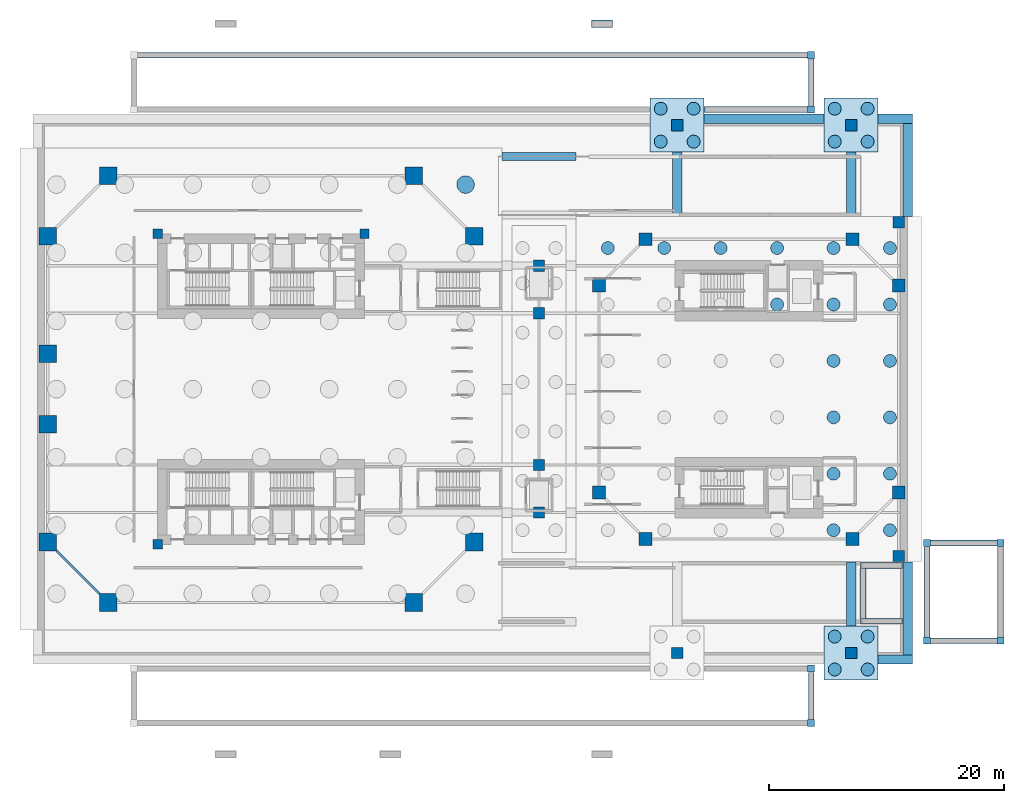
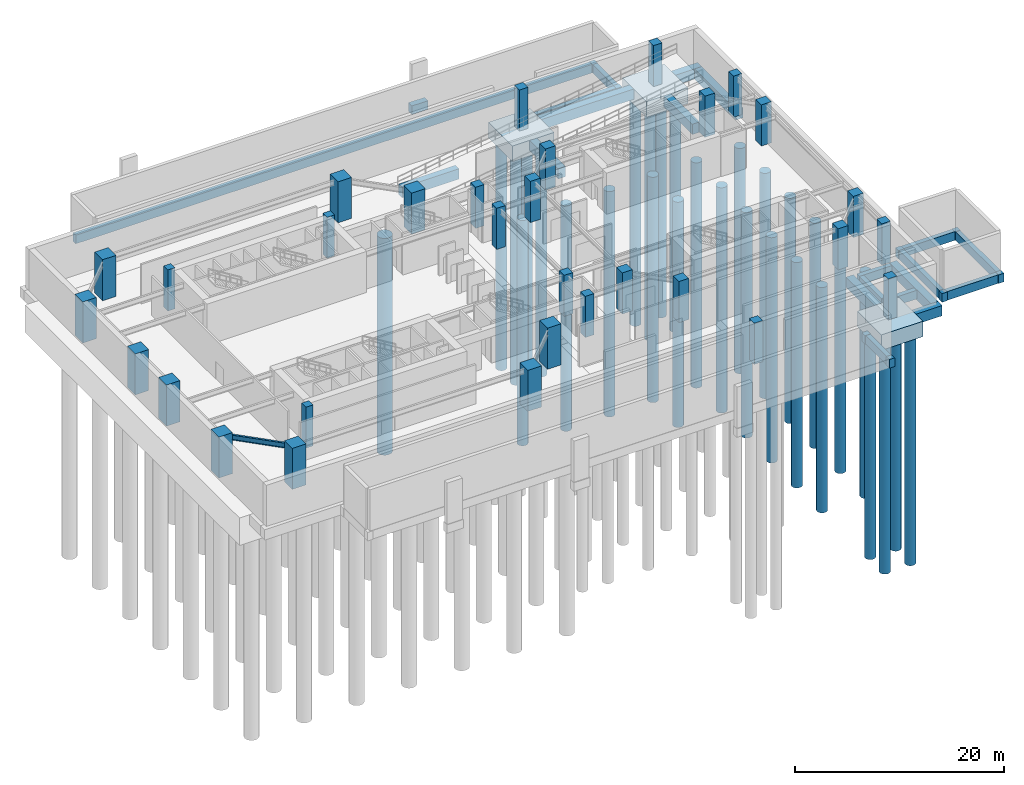
# One storey, part 2 of 13: 32 footings, 31 columns, 30 piles, 1 beam.
"""IFC4 building model written with IfcOpenShell, lengths in metres."""

from ifc_helpers import new_model, si_unit, direction, frame, origin, origin_2d, place, context, subcontext, project, spatial, polyline, rectangle, circle, i_section, outline, extrude, source, transform, mapped, material, material_profile, profile_set, type_object, element, save


model = new_model("IFC4")

# Units and contexts
model_context = context("Model", 3, precision=1e-05, world=origin(), true_north=direction((0.0, 1.0)))
body_context = subcontext(model_context, "Body", "Model", "MODEL_VIEW")
ifc_project = project(units=[si_unit("LENGTHUNIT", "METRE"), si_unit("AREAUNIT", "SQUARE_METRE"), si_unit("VOLUMEUNIT", "CUBIC_METRE"), si_unit("PLANEANGLEUNIT", "RADIAN"), si_unit("MASSUNIT", "GRAM", prefix="KILO"), si_unit("THERMODYNAMICTEMPERATUREUNIT", "KELVIN"), si_unit("POWERUNIT", "WATT")], contexts=[model_context])

# Site, building, storey
site_placement = place(None, origin())
site = spatial("IfcSite", under=ifc_project, at=site_placement, CompositionType="ELEMENT")
building_placement = place(site_placement, origin())
building = spatial("IfcBuilding", under=site, at=building_placement, Name="Qiaomeng Ring Towers", CompositionType="ELEMENT")
storey_placement = place(building_placement, frame((0.0, 0.0, -9.60009765625)))
storey = spatial("IfcBuildingStorey", under=building, at=storey_placement, Name="B2", CompositionType="ELEMENT", Elevation=-9.60009765625)

# Footings
ifc_material_1 = material(Name="Concrete C40", Category="concrete")
footing_type_1 = type_object("IfcFootingType", Name="FND-CAP-PC1", PredefinedType="PILE_CAP", material=ifc_material_1)
footing_1_placement = place(storey_placement, frame((0.0, 0.0, -1.7998046875)))
element("IfcFooting", 1, at=footing_1_placement, inside=storey, type_object=footing_type_1, Name="Podium Pile Cap PC1-02", PredefinedType="PILE_CAP", context=body_context, shape_type="SweptSolid", body=[
    extrude(outline(polyline([(66.89990234375, -1.75), (71.5, -1.75), (71.5, 2.85009765625), (66.89990234375, 2.85009765625), (66.89990234375, -1.75)])), origin(), (0.0, 0.0, 1.0), 1.7998046875),
])
footing_2_placement = place(storey_placement, frame((0.0, 0.0, -1.7998046875)))
element("IfcFooting", 2, at=footing_2_placement, inside=storey, type_object=footing_type_1, Name="Podium Pile Cap PC1-03", PredefinedType="PILE_CAP", context=body_context, shape_type="SweptSolid", body=[
    extrude(outline(polyline([(52.10009765625, 43.14990234375), (56.699951171875, 43.14990234375), (56.699951171875, 47.75), (52.10009765625, 47.75), (52.10009765625, 43.14990234375)])), origin(), (0.0, 0.0, 1.0), 1.7998046875),
])
footing_3_placement = place(storey_placement, frame((0.0, 0.0, -1.7998046875)))
element("IfcFooting", 3, at=footing_3_placement, inside=storey, type_object=footing_type_1, Name="Podium Pile Cap PC1-04", PredefinedType="PILE_CAP", context=body_context, shape_type="SweptSolid", body=[
    extrude(outline(polyline([(66.89990234375, 43.14990234375), (71.5, 43.14990234375), (71.5, 47.75), (66.89990234375, 47.75), (66.89990234375, 43.14990234375)])), origin(), (0.0, 0.0, 1.0), 1.7998046875),
])
footing_type_2 = type_object("IfcFootingType", Name="FND-GB-FB1", PredefinedType="FOOTING_BEAM", material=ifc_material_1)
footing_4_placement = place(storey_placement, frame((0.0, 0.0, -1.199951171875)))
element("IfcFooting", 4, at=footing_4_placement, inside=storey, type_object=footing_type_2, Name="Foundation Tie Beam FB1-11", PredefinedType="FOOTING_BEAM", context=body_context, shape_type="SweptSolid", body=[
    extrude(outline(polyline([(71.5, -0.39990234375), (74.39990234375, -0.39990234375), (74.39990234375, 0.39990234375), (71.5, 0.39990234375), (71.5, -0.39990234375)])), origin(), (0.0, 0.0, 1.0), 1.199951171875),
])
footing_5_placement = place(storey_placement, frame((0.0, 0.0, -1.199951171875)))
element("IfcFooting", 5, at=footing_5_placement, inside=storey, type_object=footing_type_2, Name="Foundation Tie Beam FB1-13", PredefinedType="FOOTING_BEAM", context=body_context, shape_type="SweptSolid", body=[
    extrude(outline(polyline([(56.699951171875, 45.60009765625), (66.89990234375, 45.60009765625), (66.89990234375, 46.39990234375), (56.699951171875, 46.39990234375), (56.699951171875, 45.60009765625)])), origin(), (0.0, 0.0, 1.0), 1.199951171875),
])
footing_6_placement = place(storey_placement, frame((0.0, 0.0, -1.199951171875)))
element("IfcFooting", 6, at=footing_6_placement, inside=storey, type_object=footing_type_2, Name="Foundation Tie Beam FB1-14", PredefinedType="FOOTING_BEAM", context=body_context, shape_type="SweptSolid", body=[
    extrude(outline(polyline([(71.5, 45.60009765625), (74.39990234375, 45.60009765625), (74.39990234375, 46.39990234375), (71.5, 46.39990234375), (71.5, 45.60009765625)])), origin(), (0.0, 0.0, 1.0), 1.199951171875),
])
footing_7_placement = place(storey_placement, frame((0.0, 0.0, -1.199951171875)))
element("IfcFooting", 7, at=footing_7_placement, inside=storey, type_object=footing_type_2, Name="Foundation Tie Beam FB1-16", PredefinedType="FOOTING_BEAM", context=body_context, shape_type="SweptSolid", body=[
    extrude(outline(polyline([(68.800048828125, 2.85009765625), (69.60009765625, 2.85009765625), (69.60009765625, 8.300048828125), (68.800048828125, 8.300048828125), (68.800048828125, 2.85009765625)])), origin(), (0.0, 0.0, 1.0), 1.199951171875),
])
footing_8_placement = place(storey_placement, frame((0.0, 0.0, -1.199951171875)))
element("IfcFooting", 8, at=footing_8_placement, inside=storey, type_object=footing_type_2, Name="Foundation Tie Beam FB1-17", PredefinedType="FOOTING_BEAM", context=body_context, shape_type="SweptSolid", body=[
    extrude(outline(polyline([(54.0, 37.699951171875), (54.800048828125, 37.699951171875), (54.800048828125, 43.14990234375), (54.0, 43.14990234375), (54.0, 37.699951171875)])), origin(), (0.0, 0.0, 1.0), 1.199951171875),
])
footing_9_placement = place(storey_placement, frame((0.0, 0.0, -1.199951171875)))
element("IfcFooting", 9, at=footing_9_placement, inside=storey, type_object=footing_type_2, Name="Foundation Tie Beam FB1-18", PredefinedType="FOOTING_BEAM", context=body_context, shape_type="SweptSolid", body=[
    extrude(outline(polyline([(68.800048828125, 37.699951171875), (69.60009765625, 37.699951171875), (69.60009765625, 43.14990234375), (68.800048828125, 43.14990234375), (68.800048828125, 37.699951171875)])), origin(), (0.0, 0.0, 1.0), 1.199951171875),
])
footing_10_placement = place(storey_placement, frame((0.0, 0.0, -1.199951171875)))
element("IfcFooting", 10, at=footing_10_placement, inside=storey, type_object=footing_type_2, Name="Foundation Tie Beam FB1-21", PredefinedType="FOOTING_BEAM", context=body_context, shape_type="SweptSolid", body=[
    extrude(outline(polyline([(73.60009765625, 0.39990234375), (74.39990234375, 0.39990234375), (74.39990234375, 8.300048828125), (73.60009765625, 8.300048828125), (73.60009765625, 0.39990234375)])), origin(), (0.0, 0.0, 1.0), 1.199951171875),
])
footing_11_placement = place(storey_placement, frame((0.0, 0.0, -1.199951171875)))
element("IfcFooting", 11, at=footing_11_placement, inside=storey, type_object=footing_type_2, Name="Foundation Tie Beam FB1-22", PredefinedType="FOOTING_BEAM", context=body_context, shape_type="SweptSolid", body=[
    extrude(outline(polyline([(73.60009765625, 37.699951171875), (74.39990234375, 37.699951171875), (74.39990234375, 45.60009765625), (73.60009765625, 45.60009765625), (73.60009765625, 37.699951171875)])), origin(), (0.0, 0.0, 1.0), 1.199951171875),
])
footing_type_3 = type_object("IfcFootingType", Name="FND-GB-FB2", PredefinedType="FOOTING_BEAM", material=ifc_material_1)
footing_12_placement = place(storey_placement, frame((0.0, 0.0, -1.0)))
element("IfcFooting", 12, at=footing_12_placement, inside=storey, type_object=footing_type_3, Name="Apron Strip Footing PLZ-S-E", PredefinedType="FOOTING_BEAM", context=body_context, shape_type="SweptSolid", body=[
    extrude(outline(polyline([(65.550048828125, -5.090087890625), (66.050048828125, -5.090087890625), (66.050048828125, -1.090087890625), (65.550048828125, -1.090087890625), (65.550048828125, -5.090087890625)])), origin(), (0.0, 0.0, 1.0), 1.0),
])
footing_13_placement = place(storey_placement, frame((0.0, 0.0, -1.0)))
element("IfcFooting", 13, at=footing_13_placement, inside=storey, type_object=footing_type_3, Name="Apron Strip Footing PLZ-N-S2", PredefinedType="FOOTING_BEAM", context=body_context, shape_type="SweptSolid", body=[
    extrude(outline(polyline([(56.701904296875, 46.530029296875), (65.489990234375, 46.530029296875), (65.489990234375, 47.030029296875), (56.701904296875, 47.030029296875), (56.701904296875, 46.530029296875)])), origin(), (0.0, 0.0, 1.0), 1.0),
])
footing_14_placement = place(storey_placement, frame((0.0, 0.0, -1.0)))
element("IfcFooting", 14, at=footing_14_placement, inside=storey, type_object=footing_type_3, Name="Apron Strip Footing PLZ-N-N", PredefinedType="FOOTING_BEAM", context=body_context, shape_type="SweptSolid", body=[
    extrude(outline(polyline([(8.510009765625, 51.14990234375), (65.489990234375, 51.14990234375), (65.489990234375, 51.64990234375), (8.510009765625, 51.64990234375), (8.510009765625, 51.14990234375)])), origin(), (0.0, 0.0, 1.0), 1.0),
])
footing_15_placement = place(storey_placement, frame((0.0, 0.0, -1.0)))
element("IfcFooting", 15, at=footing_15_placement, inside=storey, type_object=footing_type_3, Name="Apron Strip Footing PLZ-N-E", PredefinedType="FOOTING_BEAM", context=body_context, shape_type="SweptSolid", body=[
    extrude(outline(polyline([(65.550048828125, 47.090087890625), (66.050048828125, 47.090087890625), (66.050048828125, 51.090087890625), (65.550048828125, 51.090087890625), (65.550048828125, 47.090087890625)])), origin(), (0.0, 0.0, 1.0), 1.0),
])
footing_16_placement = place(storey_placement, frame((0.0, 0.0, -1.0)))
element("IfcFooting", 16, at=footing_16_placement, inside=storey, type_object=footing_type_3, Name="Apron Strip Footing DRV-E-S", PredefinedType="FOOTING_BEAM", context=body_context, shape_type="SweptSolid", body=[
    extrude(outline(polyline([(75.9599609375, 1.35009765625), (81.590087890625, 1.35009765625), (81.590087890625, 1.85009765625), (75.9599609375, 1.85009765625), (75.9599609375, 1.35009765625)])), origin(), (0.0, 0.0, 1.0), 1.0),
])
footing_17_placement = place(storey_placement, frame((0.0, 0.0, -1.0)))
element("IfcFooting", 17, at=footing_17_placement, inside=storey, type_object=footing_type_3, Name="Apron Strip Footing DRV-E-N", PredefinedType="FOOTING_BEAM", context=body_context, shape_type="SweptSolid", body=[
    extrude(outline(polyline([(75.9599609375, 9.64990234375), (81.590087890625, 9.64990234375), (81.590087890625, 10.14990234375), (75.9599609375, 10.14990234375), (75.9599609375, 9.64990234375)])), origin(), (0.0, 0.0, 1.0), 1.0),
])
footing_18_placement = place(storey_placement, frame((0.0, 0.0, -1.0)))
element("IfcFooting", 18, at=footing_18_placement, inside=storey, type_object=footing_type_3, Name="Apron Strip Footing DRV-E-W", PredefinedType="FOOTING_BEAM", context=body_context, shape_type="SweptSolid", body=[
    extrude(outline(polyline([(75.39990234375, 1.909912109375), (75.89990234375, 1.909912109375), (75.89990234375, 9.590087890625), (75.39990234375, 9.590087890625), (75.39990234375, 1.909912109375)])), origin(), (0.0, 0.0, 1.0), 1.0),
])
footing_19_placement = place(storey_placement, frame((0.0, 0.0, -1.0)))
element("IfcFooting", 19, at=footing_19_placement, inside=storey, type_object=footing_type_3, Name="Apron Strip Footing DRV-E-E", PredefinedType="FOOTING_BEAM", context=body_context, shape_type="SweptSolid", body=[
    extrude(outline(polyline([(81.64990234375, 1.909912109375), (82.14990234375, 1.909912109375), (82.14990234375, 9.590087890625), (81.64990234375, 9.590087890625), (81.64990234375, 1.909912109375)])), origin(), (0.0, 0.0, 1.0), 1.0),
])
footing_20_placement = place(storey_placement, frame((0.0, 0.0, -1.0)))
element("IfcFooting", 20, at=footing_20_placement, inside=storey, type_object=footing_type_3, Name="Ramp R1 Landing Footing S", PredefinedType="FOOTING_BEAM", context=body_context, shape_type="SweptSolid", body=[
    extrude(outline(polyline([(70.0, 3.0), (73.550048828125, 3.0), (73.550048828125, 3.5), (70.0, 3.5), (70.0, 3.0)])), origin(), (0.0, 0.0, 1.0), 1.0),
])
footing_21_placement = place(storey_placement, frame((0.0, 0.0, -1.0)))
element("IfcFooting", 21, at=footing_21_placement, inside=storey, type_object=footing_type_3, Name="Ramp R1 Landing Footing N", PredefinedType="FOOTING_BEAM", context=body_context, shape_type="SweptSolid", body=[
    extrude(outline(polyline([(70.0, 7.75), (73.550048828125, 7.75), (73.550048828125, 8.25), (70.0, 8.25), (70.0, 7.75)])), origin(), (0.0, 0.0, 1.0), 1.0),
])
footing_22_placement = place(storey_placement, frame((0.0, 0.0, -1.0)))
element("IfcFooting", 22, at=footing_22_placement, inside=storey, type_object=footing_type_3, Name="Ramp R1 Landing Footing W", PredefinedType="FOOTING_BEAM", context=body_context, shape_type="SweptSolid", body=[
    extrude(outline(polyline([(69.949951171875, 3.510009765625), (70.449951171875, 3.510009765625), (70.449951171875, 7.739990234375), (69.949951171875, 7.739990234375), (69.949951171875, 3.510009765625)])), origin(), (0.0, 0.0, 1.0), 1.0),
])
footing_23_placement = place(storey_placement, frame((0.0, 0.0, -1.199951171875)))
element("IfcFooting", 23, at=footing_23_placement, inside=storey, type_object=footing_type_3, Name="Vehicle Ramp R2 Support Strip Footing N", PredefinedType="FOOTING_BEAM", context=body_context, shape_type="SweptSolid", body=[
    extrude(outline(polyline([(39.52001953125, 42.429931640625), (45.780029296875, 42.429931640625), (45.780029296875, 43.1298828125), (39.52001953125, 43.1298828125), (39.52001953125, 42.429931640625)])), origin(), (0.0, 0.0, 1.0), 1.199951171875),
])
footing_type_4 = type_object("IfcFootingType", Name="FND-PAD-APRON", PredefinedType="PAD_FOOTING", material=ifc_material_1)
footing_24_placement = place(storey_placement, frame((0.0, 0.0, -1.0)))
element("IfcFooting", 24, at=footing_24_placement, inside=storey, type_object=footing_type_4, Name="Apron Corner Pad Footing PLZ-S-SE", PredefinedType="PAD_FOOTING", context=body_context, shape_type="SweptSolid", body=[
    extrude(outline(polyline([(65.5, -5.699951171875), (66.10009765625, -5.699951171875), (66.10009765625, -5.10009765625), (65.5, -5.10009765625), (65.5, -5.699951171875)])), origin(), (0.0, 0.0, 1.0), 1.0),
])
footing_25_placement = place(storey_placement, frame((0.0, 0.0, -1.0)))
element("IfcFooting", 25, at=footing_25_placement, inside=storey, type_object=footing_type_4, Name="Apron Corner Pad Footing PLZ-S-NE", PredefinedType="PAD_FOOTING", context=body_context, shape_type="SweptSolid", body=[
    extrude(outline(polyline([(65.5, -1.080078125), (66.10009765625, -1.080078125), (66.10009765625, -0.47998046875), (65.5, -0.47998046875), (65.5, -1.080078125)])), origin(), (0.0, 0.0, 1.0), 1.0),
])
footing_26_placement = place(storey_placement, frame((0.0, 0.0, -1.0)))
element("IfcFooting", 26, at=footing_26_placement, inside=storey, type_object=footing_type_4, Name="Apron Corner Pad Footing PLZ-N-SE", PredefinedType="PAD_FOOTING", context=body_context, shape_type="SweptSolid", body=[
    extrude(outline(polyline([(65.5, 46.47998046875), (66.10009765625, 46.47998046875), (66.10009765625, 47.080078125), (65.5, 47.080078125), (65.5, 46.47998046875)])), origin(), (0.0, 0.0, 1.0), 1.0),
])
footing_27_placement = place(storey_placement, frame((0.0, 0.0, -1.0)))
element("IfcFooting", 27, at=footing_27_placement, inside=storey, type_object=footing_type_4, Name="Apron Corner Pad Footing PLZ-N-NE", PredefinedType="PAD_FOOTING", context=body_context, shape_type="SweptSolid", body=[
    extrude(outline(polyline([(65.5, 51.10009765625), (66.10009765625, 51.10009765625), (66.10009765625, 51.699951171875), (65.5, 51.699951171875), (65.5, 51.10009765625)])), origin(), (0.0, 0.0, 1.0), 1.0),
])
footing_28_placement = place(storey_placement, frame((0.0, 0.0, -1.0)))
element("IfcFooting", 28, at=footing_28_placement, inside=storey, type_object=footing_type_4, Name="Apron Corner Pad Footing DRV-E-SW", PredefinedType="PAD_FOOTING", context=body_context, shape_type="SweptSolid", body=[
    extrude(outline(polyline([(75.35009765625, 1.300048828125), (75.949951171875, 1.300048828125), (75.949951171875, 1.89990234375), (75.35009765625, 1.89990234375), (75.35009765625, 1.300048828125)])), origin(), (0.0, 0.0, 1.0), 1.0),
])
footing_29_placement = place(storey_placement, frame((0.0, 0.0, -1.0)))
element("IfcFooting", 29, at=footing_29_placement, inside=storey, type_object=footing_type_4, Name="Apron Corner Pad Footing DRV-E-SE", PredefinedType="PAD_FOOTING", context=body_context, shape_type="SweptSolid", body=[
    extrude(outline(polyline([(81.60009765625, 1.300048828125), (82.199951171875, 1.300048828125), (82.199951171875, 1.89990234375), (81.60009765625, 1.89990234375), (81.60009765625, 1.300048828125)])), origin(), (0.0, 0.0, 1.0), 1.0),
])
footing_30_placement = place(storey_placement, frame((0.0, 0.0, -1.0)))
element("IfcFooting", 30, at=footing_30_placement, inside=storey, type_object=footing_type_4, Name="Apron Corner Pad Footing DRV-E-NW", PredefinedType="PAD_FOOTING", context=body_context, shape_type="SweptSolid", body=[
    extrude(outline(polyline([(75.35009765625, 9.60009765625), (75.949951171875, 9.60009765625), (75.949951171875, 10.199951171875), (75.35009765625, 10.199951171875), (75.35009765625, 9.60009765625)])), origin(), (0.0, 0.0, 1.0), 1.0),
])
footing_31_placement = place(storey_placement, frame((0.0, 0.0, -1.0)))
element("IfcFooting", 31, at=footing_31_placement, inside=storey, type_object=footing_type_4, Name="Apron Corner Pad Footing DRV-E-NE", PredefinedType="PAD_FOOTING", context=body_context, shape_type="SweptSolid", body=[
    extrude(outline(polyline([(81.60009765625, 9.60009765625), (82.199951171875, 9.60009765625), (82.199951171875, 10.199951171875), (81.60009765625, 10.199951171875), (81.60009765625, 9.60009765625)])), origin(), (0.0, 0.0, 1.0), 1.0),
])
footing_type_5 = type_object("IfcFootingType", Name="FND-PAD-AR", PredefinedType="PAD_FOOTING", material=ifc_material_1)
footing_32_placement = place(storey_placement, frame((0.0, 0.0, -1.0)))
element("IfcFooting", 32, at=footing_32_placement, inside=storey, type_object=footing_type_5, Name="AR4 Kerb Pad Footing", PredefinedType="PAD_FOOTING", context=body_context, shape_type="SweptSolid", body=[
    extrude(outline(polyline([(47.10009765625, 53.748046875), (48.89990234375, 53.748046875), (48.89990234375, 54.39794921875), (47.10009765625, 54.39794921875), (47.10009765625, 53.748046875)])), origin(), (0.0, 0.0, 1.0), 1.0),
])

# Piles
ifc_material_profile_1 = material_profile(ifc_material_1, circle(Radius=0.75, at=origin_2d()), Name="BORED PILE 1500")
ifc_profile_set_1 = profile_set([ifc_material_profile_1], Name="Concrete C40")
pile_type_1 = type_object("IfcPileType", Name="FND-PILE-1500", PredefinedType="BORED", material=ifc_profile_set_1)
shared_shape_1 = source(origin(), body_context, "Body", "SweptSolid", [
    extrude(circle(Radius=0.75, at=origin_2d()), origin(), (0.0, 0.0, 1.0), 25.300048828125),
])
pile_placement = place(storey_placement, frame((36.39990234375, 40.39990234375, -3.099853515625), z_axis=(0.0, 0.0, -1.0), x_axis=(1.0, 0.0, 0.0)))
element("IfcPile", 33, at=pile_placement, inside=storey, type_object=pile_type_1, Name="Tower 1 Rock-Socketed Bored Pile PL1-049", PredefinedType="BORED", context=body_context, shape_type="MappedRepresentation", body=[
    mapped(shared_shape_1, transform((0.0, 0.0, 0.0), x_axis=(1.0, 0.0, 0.0), y_axis=(0.0, 1.0, 0.0), z_axis=(0.0, 0.0, 1.0), scale=1.0)),
])
ifc_material_profile_2 = material_profile(ifc_material_1, circle(Radius=0.550048828125, at=origin_2d()), Name="BORED PILE 1100")
ifc_profile_set_2 = profile_set([ifc_material_profile_2], Name="Concrete C40")
pile_type_2 = type_object("IfcPileType", Name="FND-PILE-1100", PredefinedType="BORED", material=ifc_profile_set_2)
shared_shape_2 = source(origin(), body_context, "Body", "SweptSolid", [
    extrude(circle(Radius=0.550048828125, at=origin_2d()), origin(), (0.0, 0.0, 1.0), 26.300048828125),
])
for number, where, z_axis, x_axis, name in (
    (34, (48.5, 35.0, -2.099853515625), (0.0, 0.0, -1.0), (1.0, 0.0, 0.0), "Companion Rock-Socketed Bored Pile PL2-006"),
    (35, (53.300048828125, 35.0, -2.099853515625), (0.0, 0.0, -1.0), (1.0, 0.0, 0.0), "Companion Rock-Socketed Bored Pile PL2-012"),
    (36, (58.10009765625, 35.0, -2.099853515625), (0.0, 0.0, -1.0), (1.0, 0.0, 0.0), "Companion Rock-Socketed Bored Pile PL2-018"),
    (37, (62.89990234375, 30.199951171875, -2.099853515625), (0.0, 0.0, -1.0), (1.0, 0.0, 0.0), "Companion Rock-Socketed Bored Pile PL2-023"),
    (38, (62.89990234375, 35.0, -2.099853515625), (0.0, 0.0, -1.0), (1.0, 0.0, 0.0), "Companion Rock-Socketed Bored Pile PL2-024"),
    (39, (67.699951171875, 11.0, -2.099853515625), (0.0, 0.0, -1.0), (1.0, 0.0, 0.0), "Companion Rock-Socketed Bored Pile PL2-025"),
    (40, (67.699951171875, 15.800048828125, -2.099853515625), (0.0, 0.0, -1.0), (1.0, 0.0, 0.0), "Companion Rock-Socketed Bored Pile PL2-026"),
    (41, (67.699951171875, 20.60009765625, -2.099853515625), (0.0, 0.0, -1.0), (1.0, 0.0, 0.0), "Companion Rock-Socketed Bored Pile PL2-027"),
    (42, (67.699951171875, 25.39990234375, -2.099853515625), (0.0, 0.0, -1.0), (1.0, 0.0, 0.0), "Companion Rock-Socketed Bored Pile PL2-028"),
    (43, (67.699951171875, 30.199951171875, -2.099853515625), (0.0, 0.0, -1.0), (1.0, 0.0, 0.0), "Companion Rock-Socketed Bored Pile PL2-029"),
    (44, (67.699951171875, 35.0, -2.099853515625), (0.0, 0.0, -1.0), (1.0, 0.0, 0.0), "Companion Rock-Socketed Bored Pile PL2-030"),
    (45, (72.5, 11.0, -2.099853515625), (0.0, 0.0, -1.0), (1.0, 0.0, 0.0), "Companion Rock-Socketed Bored Pile PL2-031"),
    (46, (72.5, 15.800048828125, -2.099853515625), (0.0, 0.0, -1.0), (1.0, 0.0, 0.0), "Companion Rock-Socketed Bored Pile PL2-032"),
    (47, (72.5, 20.60009765625, -2.099853515625), (0.0, 0.0, -1.0), (1.0, 0.0, 0.0), "Companion Rock-Socketed Bored Pile PL2-033"),
    (48, (72.5, 25.39990234375, -2.099853515625), (0.0, 0.0, -1.0), (1.0, 0.0, 0.0), "Companion Rock-Socketed Bored Pile PL2-034"),
    (49, (72.5, 30.199951171875, -2.099853515625), (0.0, 0.0, -1.0), (1.0, 0.0, 0.0), "Companion Rock-Socketed Bored Pile PL2-035"),
    (50, (72.5, 35.0, -2.099853515625), (0.0, 0.0, -1.0), (1.0, 0.0, 0.0), "Companion Rock-Socketed Bored Pile PL2-036"),
):
    element("IfcPile", number, at=place(storey_placement, frame(where, z_axis=z_axis, x_axis=x_axis)), inside=storey, type_object=pile_type_2, Name=name, PredefinedType="BORED", context=body_context, shape_type="MappedRepresentation", body=[
        mapped(shared_shape_2, transform((0.0, 0.0, 0.0), x_axis=(1.0, 0.0, 0.0), y_axis=(0.0, 1.0, 0.0), z_axis=(0.0, 0.0, 1.0), scale=1.0)),
    ])
shared_shape_3 = source(origin(), body_context, "Body", "SweptSolid", [
    extrude(circle(Radius=0.550048828125, at=origin_2d()), origin(), (0.0, 0.0, 1.0), 26.699951171875),
])
for number, where, z_axis, x_axis, name in (
    (51, (67.800048828125, -0.85009765625, -1.699951171875), (0.0, 0.0, -1.0), (1.0, 0.0, 0.0), "Podium Rock-Socketed Bored Pile PL2-P005"),
    (52, (67.800048828125, 1.949951171875, -1.699951171875), (0.0, 0.0, -1.0), (1.0, 0.0, 0.0), "Podium Rock-Socketed Bored Pile PL2-P006"),
    (53, (70.60009765625, -0.85009765625, -1.699951171875), (0.0, 0.0, -1.0), (1.0, 0.0, 0.0), "Podium Rock-Socketed Bored Pile PL2-P007"),
    (54, (70.60009765625, 1.949951171875, -1.699951171875), (0.0, 0.0, -1.0), (1.0, 0.0, 0.0), "Podium Rock-Socketed Bored Pile PL2-P008"),
    (55, (53.0, 44.050048828125, -1.699951171875), (0.0, 0.0, -1.0), (1.0, 0.0, 0.0), "Podium Rock-Socketed Bored Pile PL2-P009"),
    (56, (53.0, 46.85009765625, -1.699951171875), (0.0, 0.0, -1.0), (1.0, 0.0, 0.0), "Podium Rock-Socketed Bored Pile PL2-P010"),
    (57, (55.800048828125, 44.050048828125, -1.699951171875), (0.0, 0.0, -1.0), (1.0, 0.0, 0.0), "Podium Rock-Socketed Bored Pile PL2-P011"),
    (58, (55.800048828125, 46.85009765625, -1.699951171875), (0.0, 0.0, -1.0), (1.0, 0.0, 0.0), "Podium Rock-Socketed Bored Pile PL2-P012"),
    (59, (67.800048828125, 44.050048828125, -1.699951171875), (0.0, 0.0, -1.0), (1.0, 0.0, 0.0), "Podium Rock-Socketed Bored Pile PL2-P013"),
    (60, (67.800048828125, 46.85009765625, -1.699951171875), (0.0, 0.0, -1.0), (1.0, 0.0, 0.0), "Podium Rock-Socketed Bored Pile PL2-P014"),
    (61, (70.60009765625, 44.050048828125, -1.699951171875), (0.0, 0.0, -1.0), (1.0, 0.0, 0.0), "Podium Rock-Socketed Bored Pile PL2-P015"),
    (62, (70.60009765625, 46.85009765625, -1.699951171875), (0.0, 0.0, -1.0), (1.0, 0.0, 0.0), "Podium Rock-Socketed Bored Pile PL2-P016"),
):
    element("IfcPile", number, at=place(storey_placement, frame(where, z_axis=z_axis, x_axis=x_axis)), inside=storey, type_object=pile_type_2, Name=name, PredefinedType="BORED", context=body_context, shape_type="MappedRepresentation", body=[
        mapped(shared_shape_3, transform((0.0, 0.0, 0.0), x_axis=(1.0, 0.0, 0.0), y_axis=(0.0, 1.0, 0.0), z_axis=(0.0, 0.0, 1.0), scale=1.0)),
    ])

# Columns
ifc_material_2 = material(Name="Concrete C60", Category="concrete")
ifc_material_profile_3 = material_profile(ifc_material_2, rectangle(XDim=1.5, YDim=1.5, at=origin_2d()), Name="RC COL 1500x1500")
ifc_profile_set_3 = profile_set([ifc_material_profile_3], Name="Concrete C60")
column_type_1 = type_object("IfcColumnType", Name="STR-COL-1500", PredefinedType="COLUMN", material=ifc_profile_set_3)
shared_shape_4 = source(origin(), body_context, "Body", "SweptSolid", [
    extrude(rectangle(XDim=1.5, YDim=1.5, at=origin_2d()), origin(), (0.0, 0.0, 1.0), 4.800048828125),
])
for number, where, z_axis, x_axis, name in (
    (63, (6.0, 4.85009765625, 0.0), (0.0, 0.0, 1.0), (1.0, 0.0, 0.0), "B2 column STR-COL-B2-T1-S1"),
    (64, (32.0, 4.85009765625, 0.0), (0.0, 0.0, 1.0), (1.0, 0.0, 0.0), "B2 column STR-COL-B2-T1-S2"),
    (65, (37.14990234375, 10.0, 0.0), (0.0, 0.0, 1.0), (1.0, 0.0, 0.0), "B2 column STR-COL-B2-T1-E1"),
    (66, (37.14990234375, 36.0, 0.0), (0.0, 0.0, 1.0), (1.0, 0.0, 0.0), "B2 column STR-COL-B2-T1-E4"),
    (67, (32.0, 41.14990234375, 0.0), (0.0, 0.0, 1.0), (1.0, 0.0, 0.0), "B2 column STR-COL-B2-T1-N2"),
    (68, (6.0, 41.14990234375, 0.0), (0.0, 0.0, 1.0), (1.0, 0.0, 0.0), "B2 column STR-COL-B2-T1-N1"),
    (69, (0.85009765625, 36.0, 0.0), (0.0, 0.0, 1.0), (1.0, 0.0, 0.0), "B2 column STR-COL-B2-T1-W4"),
    (70, (0.85009765625, 26.0, 0.0), (0.0, 0.0, 1.0), (1.0, 0.0, 0.0), "B2 column STR-COL-B2-T1-W3"),
    (71, (0.85009765625, 20.0, 0.0), (0.0, 0.0, 1.0), (1.0, 0.0, 0.0), "B2 column STR-COL-B2-T1-W2"),
    (72, (0.85009765625, 10.0, 0.0), (0.0, 0.0, 1.0), (1.0, 0.0, 0.0), "B2 column STR-COL-B2-T1-W1"),
):
    element("IfcColumn", number, at=place(storey_placement, frame(where, z_axis=z_axis, x_axis=x_axis)), inside=storey, type_object=column_type_1, Name=name, PredefinedType="COLUMN", context=body_context, shape_type="MappedRepresentation", body=[
        mapped(shared_shape_4, transform((0.0, 0.0, 0.0), x_axis=(1.0, 0.0, 0.0), y_axis=(0.0, 1.0, 0.0), z_axis=(0.0, 0.0, 1.0), scale=1.0)),
    ])
ifc_material_profile_4 = material_profile(ifc_material_2, rectangle(XDim=1.10009765625, YDim=1.10009765625, at=origin_2d()), Name="RC COL 1100x1100")
ifc_profile_set_4 = profile_set([ifc_material_profile_4], Name="Concrete C60")
column_type_2 = type_object("IfcColumnType", Name="STR-COL-1100-C60", PredefinedType="COLUMN", material=ifc_profile_set_4)
shared_shape_5 = source(origin(), body_context, "Body", "SweptSolid", [
    extrude(rectangle(XDim=1.10009765625, YDim=1.10009765625, at=origin_2d()), origin(), (0.0, 0.0, 1.0), 4.800048828125),
])
for number, where, z_axis, x_axis, name in (
    (73, (51.699951171875, 10.25, 0.0), (0.0, 0.0, 1.0), (1.0, 0.0, 0.0), "B2 column STR-COL-B2-T2-S1"),
    (74, (69.300048828125, 10.25, 0.0), (0.0, 0.0, 1.0), (1.0, 0.0, 0.0), "B2 column STR-COL-B2-T2-S2"),
    (75, (73.25, 14.199951171875, 0.0), (0.0, 0.0, 1.0), (1.0, 0.0, 0.0), "B2 column STR-COL-B2-T2-E1"),
    (76, (73.25, 31.800048828125, 0.0), (0.0, 0.0, 1.0), (1.0, 0.0, 0.0), "B2 column STR-COL-B2-T2-E2"),
    (77, (69.300048828125, 35.75, 0.0), (0.0, 0.0, 1.0), (1.0, 0.0, 0.0), "B2 column STR-COL-B2-T2-N2"),
    (78, (51.699951171875, 35.75, 0.0), (0.0, 0.0, 1.0), (1.0, 0.0, 0.0), "B2 column STR-COL-B2-T2-N1"),
    (79, (47.75, 14.199951171875, 0.0), (0.0, 0.0, 1.0), (1.0, 0.0, 0.0), "B2 column STR-COL-B2-T2-W1"),
    (80, (47.75, 31.800048828125, 0.0), (0.0, 0.0, 1.0), (1.0, 0.0, 0.0), "B2 column STR-COL-B2-T2-W4"),
):
    element("IfcColumn", number, at=place(storey_placement, frame(where, z_axis=z_axis, x_axis=x_axis)), inside=storey, type_object=column_type_2, Name=name, PredefinedType="COLUMN", context=body_context, shape_type="MappedRepresentation", body=[
        mapped(shared_shape_5, transform((0.0, 0.0, 0.0), x_axis=(1.0, 0.0, 0.0), y_axis=(0.0, 1.0, 0.0), z_axis=(0.0, 0.0, 1.0), scale=1.0)),
    ])
ifc_material_profile_5 = material_profile(ifc_material_2, rectangle(XDim=0.949951171875, YDim=0.949951171875, at=origin_2d()), Name="RC COL 950x950")
ifc_profile_set_5 = profile_set([ifc_material_profile_5], Name="Concrete C60")
column_type_3 = type_object("IfcColumnType", Name="STR-COL-950-C60", PredefinedType="COLUMN", material=ifc_profile_set_5)
shared_shape_6 = source(origin(), body_context, "Body", "SweptSolid", [
    extrude(rectangle(XDim=0.949951171875, YDim=0.949951171875, at=origin_2d()), origin(), (0.0, 0.0, 1.0), 4.800048828125),
])
for number, where, z_axis, x_axis, name in (
    (81, (42.64990234375, 12.5, 0.0), (0.0, 0.0, 1.0), (1.0, 0.0, 0.0), "B2 column STR-COL-B2-P1"),
    (82, (42.64990234375, 16.550048828125, 0.0), (0.0, 0.0, 1.0), (1.0, 0.0, 0.0), "B2 column STR-COL-B2-P2S"),
    (83, (42.64990234375, 29.449951171875, 0.0), (0.0, 0.0, 1.0), (1.0, 0.0, 0.0), "B2 column STR-COL-B2-P2N"),
    (84, (42.64990234375, 33.5, 0.0), (0.0, 0.0, 1.0), (1.0, 0.0, 0.0), "B2 column STR-COL-B2-P3"),
    (85, (54.39990234375, 0.550048828125, 0.0), (0.0, 0.0, 1.0), (1.0, 0.0, 0.0), "B2 column STR-COL-B2-P4"),
    (86, (69.199951171875, 0.550048828125, 0.0), (0.0, 0.0, 1.0), (1.0, 0.0, 0.0), "B2 column STR-COL-B2-P5"),
    (87, (54.39990234375, 45.449951171875, 0.0), (0.0, 0.0, 1.0), (1.0, 0.0, 0.0), "B2 column STR-COL-B2-P6"),
    (88, (69.199951171875, 45.449951171875, 0.0), (0.0, 0.0, 1.0), (1.0, 0.0, 0.0), "B2 column STR-COL-B2-P7"),
    (89, (73.25, 8.800048828125, 0.0), (0.0, 0.0, 1.0), (1.0, 0.0, 0.0), "B2 column STR-COL-B2-PES"),
    (90, (73.25, 37.199951171875, 0.0), (0.0, 0.0, 1.0), (1.0, 0.0, 0.0), "B2 column STR-COL-B2-PEN"),
):
    element("IfcColumn", number, at=place(storey_placement, frame(where, z_axis=z_axis, x_axis=x_axis)), inside=storey, type_object=column_type_3, Name=name, PredefinedType="COLUMN", context=body_context, shape_type="MappedRepresentation", body=[
        mapped(shared_shape_6, transform((0.0, 0.0, 0.0), x_axis=(1.0, 0.0, 0.0), y_axis=(0.0, 1.0, 0.0), z_axis=(0.0, 0.0, 1.0), scale=1.0)),
    ])
ifc_material_profile_6 = material_profile(ifc_material_2, rectangle(XDim=0.800048828125, YDim=0.800048828125, at=origin_2d()), Name="RC COL 800x800")
ifc_profile_set_6 = profile_set([ifc_material_profile_6], Name="Concrete C60")
column_type_4 = type_object("IfcColumnType", Name="STR-PIL-800", PredefinedType="PILASTER", material=ifc_profile_set_6)
shared_shape_7 = source(origin(), body_context, "Body", "SweptSolid", [
    extrude(rectangle(XDim=0.800048828125, YDim=0.800048828125, at=origin_2d()), origin(), (0.0, 0.0, 1.0), 4.800048828125),
])
for number, where, z_axis, x_axis, name in (
    (91, (10.199951171875, 36.199951171875, 0.0), (0.0, 0.0, 1.0), (1.0, 0.0, 0.0), "B2 column STR-PIL-B2-PL-N1"),
    (92, (10.199951171875, 9.800048828125, 0.0), (0.0, 0.0, 1.0), (1.0, 0.0, 0.0), "B2 column STR-PIL-B2-PL-S1"),
    (93, (27.800048828125, 36.199951171875, 0.0), (0.0, 0.0, 1.0), (1.0, 0.0, 0.0), "B2 column STR-PIL-B2-PL-N2"),
):
    element("IfcColumn", number, at=place(storey_placement, frame(where, z_axis=z_axis, x_axis=x_axis)), inside=storey, type_object=column_type_4, Name=name, PredefinedType="PILASTER", context=body_context, shape_type="MappedRepresentation", body=[
        mapped(shared_shape_7, transform((0.0, 0.0, 0.0), x_axis=(1.0, 0.0, 0.0), y_axis=(0.0, 1.0, 0.0), z_axis=(0.0, 0.0, 1.0), scale=1.0)),
    ])

# Beam
ifc_material_3 = material(Name="Steel Q355B", Category="steel")
ifc_material_profile_7 = material_profile(ifc_material_3, i_section(OverallWidth=0.199951171875, OverallDepth=0.60009765625, WebThickness=0.010986328125, FlangeThickness=0.01708984375, FilletRadius=0.02197265625, at=origin_2d()), Name="HN 600x200x11x17")
ifc_profile_set_7 = profile_set([ifc_material_profile_7], Name="Steel Q355B")
beam_type = type_object("IfcBeamType", Name="STR-BM-HN600", PredefinedType="BEAM", material=ifc_profile_set_7)
shared_shape_8 = source(origin(), body_context, "Body", "SweptSolid", [
    extrude(i_section(OverallWidth=0.199951171875, OverallDepth=0.60009765625, WebThickness=0.010986328125, FlangeThickness=0.01708984375, FilletRadius=0.02197265625, at=origin_2d()), origin(), (0.0, 0.0, 1.0), 5.163818359375),
])
beam_placement = place(storey_placement, frame((1.599365234375, 9.250732421875, 4.280029296875), z_axis=(0.707106781187, -0.707106781187, 0.0), x_axis=(0.707106781187, 0.707106781187, 0.0)))
element("IfcBeam", 94, at=beam_placement, inside=storey, type_object=beam_type, Name="B2 beam STR-SP-B2-T1-0", PredefinedType="BEAM", context=body_context, shape_type="MappedRepresentation", body=[
    mapped(shared_shape_8, transform((0.0, 0.0, 0.0), x_axis=(1.0, 0.0, 0.0), y_axis=(0.0, 1.0, 0.0), z_axis=(0.0, 0.0, 1.0), scale=1.0)),
])

save(model, "model.ifc")
